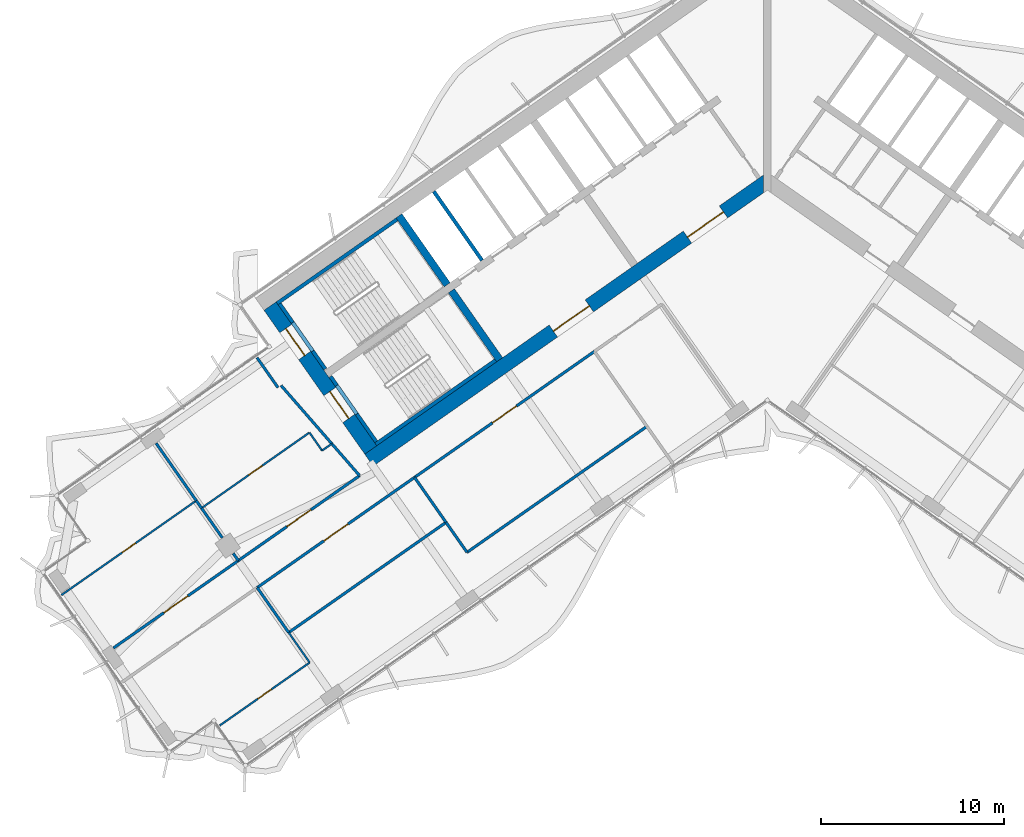
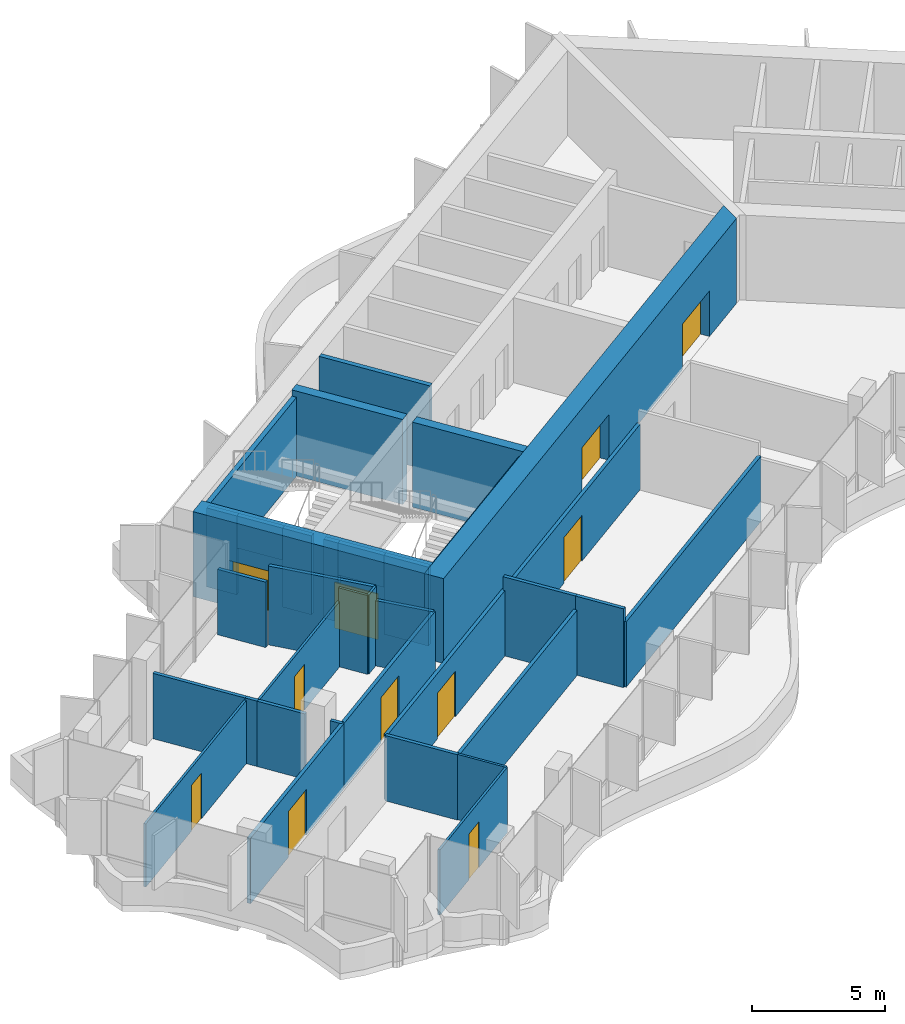
# One storey, part 12 of 22: 35 walls, 11 doors, 11 openings.
"""IFC4 building model written with IfcOpenShell, lengths in metres."""

import ifcopenshell
import ifcopenshell.guid

model = None  # the IFC model being written
_history = None  # IfcOwnerHistory: only IFC2X3 demands one
_inside = {}  # id of a spatial element -> (the spatial element, [elements in it])
_under = {}  # id of a project, library or spatial element -> (it, [spatial elements below it])
_declared = {}  # id of a project -> (the project, [libraries it declares])
_typed = {}  # id of a type object -> (the type object, [elements of that type])
_made_of = {}  # id of a material, layer set ... -> (it, [elements and type objects made of it])


def new_model(schema):
    """Start an empty IFC model of exactly this schema.

    Asked for "IFC4X3", IfcOpenShell would pick the latest addendum, in which some entities
    have other attributes; the version numbers below select the first issue.
    IFC2X3 requires an IfcOwnerHistory on every rooted entity: one is made here for all.
    """
    global model, _history
    if schema == "IFC4X3":
        model = ifcopenshell.file(schema_version=(4, 3, 0, 0))
    else:
        model = ifcopenshell.file(schema=schema)
    _inside.clear()
    _under.clear()
    _declared.clear()
    _typed.clear()
    _made_of.clear()
    _history = None
    if model.schema == "IFC2X3":
        org = make("IfcOrganization", Name="unknown")
        user = make(
            "IfcPersonAndOrganization",
            ThePerson=make("IfcPerson", FamilyName="unknown"),
            TheOrganization=org,
        )
        app = make(
            "IfcApplication",
            ApplicationDeveloper=org,
            Version="unknown",
            ApplicationFullName="unknown",
            ApplicationIdentifier="unknown",
        )
        _history = make(
            "IfcOwnerHistory",
            OwningUser=user,
            OwningApplication=app,
            ChangeAction="ADDED",
            CreationDate=0,
        )
    return model


def make(cls, **values):
    """One entity of the class cls with the attributes given. An attribute that is None is left unset."""
    return model.create_entity(
        cls, **{name: value for name, value in values.items() if value is not None}
    )


def rooted(cls, **values):
    """An entity with a GlobalId (a new one), such as an element, a storey or a relation."""
    return make(cls, GlobalId=ifcopenshell.guid.new(), OwnerHistory=_history, **values)


def si_unit(unit_type, name, prefix=None):
    """IfcSIUnit, for example si_unit("LENGTHUNIT", "METRE", prefix="MILLI")."""
    return make("IfcSIUnit", UnitType=unit_type, Prefix=prefix, Name=name)


def assignment(units):
    """IfcUnitAssignment: the units of a project."""
    return None if units is None else make("IfcUnitAssignment", Units=units)


def point(xyz):
    """IfcCartesianPoint."""
    return None if xyz is None else make("IfcCartesianPoint", Coordinates=xyz)


def direction(xyz):
    """IfcDirection."""
    return None if xyz is None else make("IfcDirection", DirectionRatios=xyz)


def frame(location, z_axis=None, x_axis=None):
    """IfcAxis2Placement3D, a coordinate frame: its origin and axes. An axis left out is left unset."""
    return make(
        "IfcAxis2Placement3D",
        Location=point(location),
        Axis=direction(z_axis),
        RefDirection=direction(x_axis),
    )


def frame_2d(location, x_axis=None):
    """IfcAxis2Placement2D, a coordinate frame in the plane: its origin and x axis."""
    return make(
        "IfcAxis2Placement2D", Location=point(location), RefDirection=direction(x_axis)
    )


def origin():
    """The frame at (0, 0, 0) with its axes left unset."""
    return frame((0.0, 0.0, 0.0))


def place(relative_to, where):
    """IfcLocalPlacement: puts the frame where relative to a parent placement (None: the world)."""
    return make(
        "IfcLocalPlacement", PlacementRelTo=relative_to, RelativePlacement=where
    )


def context(
    kind, dimensions, precision=None, world=None, true_north=None, identifier=None
):
    """IfcGeometricRepresentationContext, for example the 3D "Model" context."""
    return make(
        "IfcGeometricRepresentationContext",
        ContextIdentifier=identifier,
        ContextType=kind,
        CoordinateSpaceDimension=dimensions,
        Precision=precision,
        WorldCoordinateSystem=world,
        TrueNorth=true_north,
    )


def subcontext(parent, identifier, kind, view, scale=None):
    """IfcGeometricRepresentationSubContext, for example "Body" below "Model"."""
    return make(
        "IfcGeometricRepresentationSubContext",
        ContextIdentifier=identifier,
        ContextType=kind,
        ParentContext=parent,
        TargetScale=scale,
        TargetView=view,
    )


def project(units=None, contexts=None):
    """IfcProject with its units and contexts."""
    return rooted(
        "IfcProject",
        Name="project",
        RepresentationContexts=contexts,
        UnitsInContext=assignment(units),
    )


def spatial(cls, under=None, at=None, **own):
    """A site, building, storey or space (cls), placed at a placement, below another one or the project."""
    s = rooted(cls, ObjectPlacement=at, **own)
    if under is not None:
        _under.setdefault(under.id(), (under, []))[1].append(s)
    return s


def polyline(points):
    """IfcPolyline through the points."""
    return make("IfcPolyline", Points=[point(p) for p in points])


def profile(cls, at=None, kind="AREA", **sizes):
    """A parametric profile (cls). Its sizes go by their IFC names, for example OverallWidth=200.0."""
    return make(cls, ProfileType=kind, Position=at, **sizes)


def rectangle(**sizes):
    """IfcRectangleProfileDef."""
    return profile("IfcRectangleProfileDef", **sizes)


def outline(outer, holes=None, kind="AREA"):
    """IfcArbitraryClosedProfileDef: a profile drawn as a closed curve; with holes, ...WithVoids."""
    if holes is None:
        return make("IfcArbitraryClosedProfileDef", ProfileType=kind, OuterCurve=outer)
    return make(
        "IfcArbitraryProfileDefWithVoids",
        ProfileType=kind,
        OuterCurve=outer,
        InnerCurves=holes,
    )


def extrude(swept, where, along, depth):
    """IfcExtrudedAreaSolid: the profile swept, set in the frame where, extruded along a direction by depth."""
    return make(
        "IfcExtrudedAreaSolid",
        SweptArea=swept,
        Position=where,
        ExtrudedDirection=direction(along),
        Depth=depth,
    )


def shape(context_of_items, identifier, shape_type, items):
    """IfcShapeRepresentation: the items that make up one representation, for example the "Body"."""
    return make(
        "IfcShapeRepresentation",
        ContextOfItems=context_of_items,
        RepresentationIdentifier=identifier,
        RepresentationType=shape_type,
        Items=items,
    )


def material(Name=None, Category=None):
    """IfcMaterial."""
    return make("IfcMaterial", Name=Name, Category=Category)


def layer(
    of_material, thickness, ventilated=None, Name=None, Category=None, Priority=None
):
    """IfcMaterialLayer: one layer of a wall or slab, of a material (None: an air gap)."""
    return make(
        "IfcMaterialLayer",
        Material=of_material,
        LayerThickness=thickness,
        IsVentilated=ventilated,
        Name=Name,
        Category=Category,
        Priority=Priority,
    )


def layer_set(layers, Name=None):
    """IfcMaterialLayerSet."""
    return make("IfcMaterialLayerSet", MaterialLayers=layers, LayerSetName=Name)


def made_of(thing, what):
    """Note that an element or type object is made of a material, layer set ...; save() writes the relation."""
    if what is not None:
        _made_of.setdefault(what.id(), (what, []))[1].append(thing)
    return thing


def type_object(cls, material=None, **own):
    """A type object (cls), such as IfcWallType, which elements share."""
    return made_of(rooted(cls, **own), material)


def element(
    cls,
    number,
    at=None,
    inside=None,
    cuts=None,
    type_object=None,
    material=None,
    context=None,
    identifier="Body",
    shape_type=None,
    held_by="IfcProductDefinitionShape",
    body=None,
    shapes=None,
    **own,
):
    """One element of the class cls, such as IfcWall. Its Tag is "e" and its number.

    at: its placement. inside: the storey or other place that contains it. cuts: it is an
    opening in that element (IfcRelVoidsElement). A single representation is given by context,
    identifier, shape_type and body (its items); several are given by shapes. held_by: the class
    of the entity that holds the representations. save() writes the other relations.
    """
    e = rooted(cls, Tag="e%d" % number, ObjectPlacement=at, **own)
    if body is not None:
        shapes = [shape(context, identifier, shape_type, body)]
    if shapes is not None:
        e.Representation = make(held_by, Representations=shapes)
    if inside is not None:
        _inside.setdefault(inside.id(), (inside, []))[1].append(e)
    if cuts is not None:
        rooted(
            "IfcRelVoidsElement", RelatingBuildingElement=cuts, RelatedOpeningElement=e
        )
    if type_object is not None:
        _typed.setdefault(type_object.id(), (type_object, []))[1].append(e)
    return made_of(e, material)


def fill(opening, filler):
    """IfcRelFillsElement: the door or window that sits in an opening."""
    return rooted(
        "IfcRelFillsElement",
        RelatingOpeningElement=opening,
        RelatedBuildingElement=filler,
    )


def aggregate(whole, parts):
    """IfcRelAggregates: a whole, such as a stair, and the parts it consists of."""
    return rooted("IfcRelAggregates", RelatingObject=whole, RelatedObjects=parts)


def save(model, path):
    """Write the relations noted so far, then the file.

    IfcRelAggregates (storeys below a building ...), IfcRelContainedInSpatialStructure (elements
    in a storey), IfcRelDefinesByType, IfcRelAssociatesMaterial and IfcRelDeclares: one each for
    every whole, place, type object, material and project.
    """
    for whole, parts in _under.values():
        aggregate(whole, parts)
    for where, things in _inside.values():
        rooted(
            "IfcRelContainedInSpatialStructure",
            RelatedElements=things,
            RelatingStructure=where,
        )
    for kind, things in _typed.values():
        rooted("IfcRelDefinesByType", RelatedObjects=things, RelatingType=kind)
    for what, things in _made_of.values():
        rooted("IfcRelAssociatesMaterial", RelatedObjects=things, RelatingMaterial=what)
    for by, libraries in _declared.values():
        rooted("IfcRelDeclares", RelatingContext=by, RelatedDefinitions=libraries)
    model.write(path)


model = new_model("IFC4")

# Units and contexts
model_context = context("Model", 3, precision=1e-05, world=origin(), true_north=direction((0.0, 1.0)))
body_context = subcontext(model_context, "Body", "Model", "MODEL_VIEW")
ifc_project = project(units=[si_unit("LENGTHUNIT", "METRE"), si_unit("AREAUNIT", "SQUARE_METRE"), si_unit("VOLUMEUNIT", "CUBIC_METRE"), si_unit("PLANEANGLEUNIT", "RADIAN"), si_unit("MASSUNIT", "GRAM", prefix="KILO")], contexts=[model_context])

# Site, building, storey
site_placement = place(None, origin())
site = spatial("IfcSite", under=ifc_project, at=site_placement, CompositionType="ELEMENT")
building_placement = place(site_placement, origin())
building = spatial("IfcBuilding", under=site, at=building_placement, Name="Tel Ilan Convention Tower", CompositionType="ELEMENT")
storey_placement = place(building_placement, frame((0.0, 0.0, 143.699951171875)))
storey = spatial("IfcBuildingStorey", under=building, at=storey_placement, Name="L32", CompositionType="ELEMENT", Elevation=143.699951171875)

# Walls
ifc_material_1 = material(Name="Concrete C50/60", Category="concrete")
ifc_layer_1 = layer(ifc_material_1, 0.39990234375)
ifc_layer_set_1 = layer_set([ifc_layer_1], Name="Core Shear Wall 400 mm C50/60")
wall_type_1 = type_object("IfcWallType", Name="Core Shear Wall 400 mm C50/60", PredefinedType="SHEAR", material=ifc_layer_set_1)
wall_1_placement = place(storey_placement, frame((-14.6298828125, -10.48828125, 0.0), z_axis=(0.0, 0.0, 1.0), x_axis=(-0.573611936273, 0.819127185829, 0.0)))
element("IfcWall", 1, at=wall_1_placement, inside=storey, type_object=wall_type_1, Name="L32 core wall W-cross2-1", PredefinedType="SHEAR", context=body_context, shape_type="SweptSolid", body=[
    extrude(outline(polyline([(4.60009765625, 0.199951171875), (0.000244140625, 0.2001953125), (0.000244140625, -0.199951171875), (4.60009765625, -0.2001953125), (4.60009765625, 0.199951171875)])), origin(), (0.0, 0.0, 1.0), 3.900146484375),
])
wall_2_placement = place(storey_placement, frame((-17.497802734375, -6.392333984375, 0.0), z_axis=(0.0, 0.0, 1.0), x_axis=(-0.573611936273, 0.819127185829, 0.0)))
element("IfcWall", 2, at=wall_2_placement, inside=storey, type_object=wall_type_1, Name="L32 core wall W-cross2-2", PredefinedType="SHEAR", context=body_context, shape_type="SweptSolid", body=[
    extrude(outline(polyline([(4.599853515625, -0.2001953125), (4.599853515625, 0.199951171875), (0.0, 0.2001953125), (0.0, -0.199951171875), (4.599853515625, -0.2001953125)])), origin(), (0.0, 0.0, 1.0), 3.900146484375),
])

# Wall, openings, doors
ifc_material_2 = material(Name="Concrete C50/60", Category="concrete")
ifc_layer_2 = layer(ifc_material_2, 0.800048828125)
ifc_layer_set_2 = layer_set([ifc_layer_2], Name="Core Shear Wall 800 mm C50/60")
wall_type_2 = type_object("IfcWallType", Name="Core Shear Wall 800 mm C50/60", PredefinedType="SHEAR", material=ifc_layer_set_2)
wall_3_placement = place(storey_placement, frame((0.029296875, -0.7119140625, 0.0), z_axis=(0.0, 0.0, 1.0), x_axis=(-0.819151758019, -0.573576845187, 0.0)))
wall_3 = element("IfcWall", 3, at=wall_3_placement, inside=storey, type_object=wall_type_2, Name="L32 core wall W-front", PredefinedType="SHEAR", context=body_context, shape_type="SweptSolid", body=[
    extrude(outline(polyline([(26.61572265625, 0.39990234375), (0.56005859375, 0.39990234375), (-0.000244140625, -0.39990234375), (26.61572265625, -0.39990234375), (26.61572265625, 0.39990234375)])), origin(), (0.0, 0.0, 1.0), 3.900146484375),
])
opening_1_placement = place(wall_3_placement, frame((2.9658203125, 0.0, 0.0)))
opening_1 = element("IfcOpeningElement", 4, at=opening_1_placement, cuts=wall_3, Name="Opening CD2605", PredefinedType="OPENING", context=body_context, shape_type="SweptSolid", body=[
    extrude(rectangle(XDim=2.39990234375, YDim=2.10009765625, at=frame_2d((1.199951171875, 1.050048828125))), frame((0.0, 0.409912109375, 0.0), z_axis=(0.0, -1.0, 0.0), x_axis=(1.0, 0.0, 0.0)), (0.0, 0.0, 1.0), 0.820068359375),
])
opening_2_placement = place(wall_3_placement, frame((11.915771484375, 0.0, 0.0)))
opening_2 = element("IfcOpeningElement", 5, at=opening_2_placement, cuts=wall_3, Name="Opening CD2606", PredefinedType="OPENING", context=body_context, shape_type="SweptSolid", body=[
    extrude(rectangle(XDim=2.39990234375, YDim=2.10009765625, at=frame_2d((1.199951171875, 1.050048828125))), frame((0.0, 0.409912109375, 0.0), z_axis=(0.0, -1.0, 0.0), x_axis=(1.0, 0.0, 0.0)), (0.0, 0.0, 1.0), 0.820068359375),
])
ifc_material_3 = material(Name="Glazed Aluminium Door Leaf", Category="aluminium")
door_type_1 = type_object("IfcDoorType", Name="Lobby Opening Door 2400 x 2100 FD60S", OperationType="NOTDEFINED", PredefinedType="DOOR", material=ifc_material_3)
door_1_placement = place(opening_1_placement, origin())
door_1 = element("IfcDoor", 6, at=door_1_placement, inside=storey, type_object=door_type_1, Name="Lift Lobby LR1-LR4 opening", OperationType="DOUBLE_DOOR_SINGLE_SWING", OverallHeight=2.10009765625, OverallWidth=2.39990234375, PredefinedType="DOOR", context=body_context, shape_type="SweptSolid", body=[
    extrude(rectangle(XDim=2.39990234375, YDim=2.10009765625, at=frame_2d((1.199951171875, 1.050048828125))), frame((0.0, 0.02490234375, 0.0), z_axis=(0.0, -1.0, 0.0), x_axis=(1.0, 0.0, 0.0)), (0.0, 0.0, 1.0), 0.050048828125),
])
fill(opening_1, door_1)
door_2_placement = place(opening_2_placement, origin())
door_2 = element("IfcDoor", 7, at=door_2_placement, inside=storey, type_object=door_type_1, Name="Lift Lobby LR5-LR8 opening", OperationType="DOUBLE_DOOR_SINGLE_SWING", OverallHeight=2.10009765625, OverallWidth=2.39990234375, PredefinedType="DOOR", context=body_context, shape_type="SweptSolid", body=[
    extrude(rectangle(XDim=2.39990234375, YDim=2.10009765625, at=frame_2d((1.199951171875, 1.050048828125))), frame((0.0, 0.02490234375, 0.0), z_axis=(0.0, -1.0, 0.0), x_axis=(1.0, 0.0, 0.0)), (0.0, 0.0, 1.0), 0.050048828125),
])
fill(opening_2, door_2)

wall_4_placement = place(storey_placement, frame((-21.6748046875, -15.4208984375, 0.0), z_axis=(0.0, 0.0, 1.0), x_axis=(-0.573581815061, 0.819148278049, 0.0)))
wall_4 = element("IfcWall", 8, at=wall_4_placement, inside=storey, type_object=wall_type_2, Name="L32 core wall W-end", PredefinedType="SHEAR", context=body_context, shape_type="SweptSolid", body=[
    extrude(outline(polyline([(0.0, 0.39990234375), (0.0, -0.39990234375), (9.599853515625, -0.400146484375), (9.599853515625, 0.39990234375), (0.0, 0.39990234375)])), origin(), (0.0, 0.0, 1.0), 3.900146484375),
])
opening_3_placement = place(wall_4_placement, frame((6.300048828125, 0.0, 0.0)))
opening_3 = element("IfcOpeningElement", 9, at=opening_3_placement, cuts=wall_4, Name="Opening SD2601", PredefinedType="OPENING", context=body_context, shape_type="SweptSolid", body=[
    extrude(rectangle(XDim=1.800048828125, YDim=2.10009765625, at=frame_2d((0.89990234375, 1.050048828125))), frame((0.0, 0.409912109375, 0.0), z_axis=(0.0, -1.0, 0.0), x_axis=(1.0, 0.0, 0.0)), (0.0, 0.0, 1.0), 0.820068359375),
])
opening_4_placement = place(wall_4_placement, frame((2.10009765625, 0.0, 0.0)))
opening_4 = element("IfcOpeningElement", 10, at=opening_4_placement, cuts=wall_4, Name="Opening SD2602", PredefinedType="OPENING", context=body_context, shape_type="SweptSolid", body=[
    extrude(rectangle(XDim=1.800048828125, YDim=2.10009765625, at=frame_2d((0.89990234375, 1.050048828125))), frame((0.0, 0.409912109375, 0.0), z_axis=(0.0, -1.0, 0.0), x_axis=(1.0, 0.0, 0.0)), (0.0, 0.0, 1.0), 0.820068359375),
])
ifc_material_4 = material(Name="Galvanised Steel Door Leaf", Category="steel")
door_type_2 = type_object("IfcDoorType", Name="Stair Fire Door 1800 x 2100 FD60S", OperationType="NOTDEFINED", PredefinedType="DOOR", material=ifc_material_4)
door_3_placement = place(opening_3_placement, origin())
door_3 = element("IfcDoor", 11, at=door_3_placement, inside=storey, type_object=door_type_2, Name="Stair S1 door", OperationType="DOUBLE_DOOR_SINGLE_SWING", OverallHeight=2.10009765625, OverallWidth=1.800048828125, PredefinedType="DOOR", context=body_context, shape_type="SweptSolid", body=[
    extrude(rectangle(XDim=1.800048828125, YDim=2.10009765625, at=frame_2d((0.89990234375, 1.050048828125))), frame((0.0, 0.02490234375, 0.0), z_axis=(0.0, -1.0, 0.0), x_axis=(1.0, 0.0, 0.0)), (0.0, 0.0, 1.0), 0.050048828125),
])
fill(opening_3, door_3)
door_4_placement = place(opening_4_placement, origin())
door_4 = element("IfcDoor", 12, at=door_4_placement, inside=storey, type_object=door_type_2, Name="Stair S2 door", OperationType="DOUBLE_DOOR_SINGLE_SWING", OverallHeight=2.10009765625, OverallWidth=1.800048828125, PredefinedType="DOOR", context=body_context, shape_type="SweptSolid", body=[
    extrude(rectangle(XDim=1.800048828125, YDim=2.10009765625, at=frame_2d((0.89990234375, 1.050048828125))), frame((0.0, 0.02490234375, 0.0), z_axis=(0.0, -1.0, 0.0), x_axis=(1.0, 0.0, 0.0)), (0.0, 0.0, 1.0), 0.050048828125),
])
fill(opening_4, door_4)

# Wall, opening, door
ifc_material_5 = material(Name="Plasterboard on Steel Studs", Category="steel")
ifc_layer_3 = layer(ifc_material_5, 0.14990234375)
ifc_layer_set_3 = layer_set([ifc_layer_3], Name="Fire-rated Partition 150 EI 60")
wall_type_3 = type_object("IfcWallType", Name="Fire-rated Partition 150 EI 60", PredefinedType="PARTITIONING", material=ifc_layer_set_3)
wall_5_placement = place(storey_placement, frame((-28.9169921875, -21.469482421875, 0.0), z_axis=(0.0, 0.0, 1.0), x_axis=(0.819148353684, 0.573581707045, 0.0)))
wall_5 = element("IfcWall", 13, at=wall_5_placement, inside=storey, type_object=wall_type_3, Name="Partition 005", PredefinedType="PARTITIONING", context=body_context, shape_type="SweptSolid", body=[
    extrude(rectangle(XDim=8.0986328125, YDim=0.14990234375, at=frame_2d((4.04931640625, 0.0))), origin(), (0.0, 0.0, 1.0), 3.0),
])
opening_5_placement = place(wall_5_placement, frame((3.24951171875, 0.0, 0.0)))
opening_5 = element("IfcOpeningElement", 14, at=opening_5_placement, cuts=wall_5, Name="Opening L32-006", PredefinedType="OPENING", context=body_context, shape_type="SweptSolid", body=[
    extrude(rectangle(XDim=1.60009765625, YDim=2.10009765625, at=frame_2d((0.800048828125, 1.050048828125))), frame((0.0, 0.0849609375, 0.0), z_axis=(0.0, -1.0, 0.0), x_axis=(1.0, 0.0, 0.0)), (0.0, 0.0, 1.0), 0.169921875),
])
ifc_material_6 = material(Name="Timber Door Leaf in Steel Frame", Category="steel")
door_type_3 = type_object("IfcDoorType", Name="Tenant Suite Entrance Fire Door 1600x2100", OperationType="NOTDEFINED", PredefinedType="DOOR", material=ifc_material_6)
door_5_placement = place(opening_5_placement, origin())
door_5 = element("IfcDoor", 15, at=door_5_placement, inside=storey, type_object=door_type_3, Name="Door L32-006", OperationType="DOUBLE_DOOR_SINGLE_SWING", OverallHeight=2.10009765625, OverallWidth=1.60009765625, PredefinedType="DOOR", context=body_context, shape_type="SweptSolid", body=[
    extrude(rectangle(XDim=1.60009765625, YDim=2.10009765625, at=frame_2d((0.800048828125, 1.050048828125))), frame((0.0, 0.02490234375, 0.0), z_axis=(0.0, -1.0, 0.0), x_axis=(1.0, 0.0, 0.0)), (0.0, 0.0, 1.0), 0.050048828125),
])
fill(opening_5, door_5)

wall_6_placement = place(storey_placement, frame((-35.739013671875, -26.24658203125, 0.0), z_axis=(0.0, 0.0, 1.0), x_axis=(0.819128663043, 0.573609826783, 0.0)))
wall_6 = element("IfcWall", 16, at=wall_6_placement, inside=storey, type_object=wall_type_3, Name="Partition 006", PredefinedType="PARTITIONING", context=body_context, shape_type="SweptSolid", body=[
    extrude(rectangle(XDim=8.33203125, YDim=0.14990234375, at=frame_2d((4.166015625, 0.0))), origin(), (0.0, 0.0, 1.0), 3.0),
])
opening_6_placement = place(wall_6_placement, frame((3.365966796875, 0.0, 0.0)))
opening_6 = element("IfcOpeningElement", 17, at=opening_6_placement, cuts=wall_6, Name="Opening L32-008", PredefinedType="OPENING", context=body_context, shape_type="SweptSolid", body=[
    extrude(rectangle(XDim=1.60009765625, YDim=2.10009765625, at=frame_2d((0.800048828125, 1.050048828125))), frame((0.0, 0.0849609375, 0.0), z_axis=(0.0, -1.0, 0.0), x_axis=(1.0, 0.0, 0.0)), (0.0, 0.0, 1.0), 0.169921875),
])
door_6_placement = place(opening_6_placement, origin())
door_6 = element("IfcDoor", 18, at=door_6_placement, inside=storey, type_object=door_type_3, Name="Door L32-008", OperationType="DOUBLE_DOOR_SINGLE_SWING", OverallHeight=2.10009765625, OverallWidth=1.60009765625, PredefinedType="DOOR", context=body_context, shape_type="SweptSolid", body=[
    extrude(rectangle(XDim=1.60009765625, YDim=2.10009765625, at=frame_2d((0.800048828125, 1.050048828125))), frame((0.0, 0.02490234375, 0.0), z_axis=(0.0, -1.0, 0.0), x_axis=(1.0, 0.0, 0.0)), (0.0, 0.0, 1.0), 0.050048828125),
])
fill(opening_6, door_6)

wall_7_placement = place(storey_placement, frame((-9.450927734375, -10.035888671875, 0.0), z_axis=(0.0, 0.0, 1.0), x_axis=(-0.81915738424, -0.573568810035, 0.0)))
wall_7 = element("IfcWall", 19, at=wall_7_placement, inside=storey, type_object=wall_type_3, Name="Partition 008", PredefinedType="PARTITIONING", context=body_context, shape_type="SweptSolid", body=[
    extrude(rectangle(XDim=12.00390625, YDim=0.14990234375, at=frame_2d((6.001953125, 0.0))), origin(), (0.0, 0.0, 1.0), 3.0),
])
opening_7_placement = place(wall_7_placement, frame((5.201904296875, 0.0, 0.0)))
opening_7 = element("IfcOpeningElement", 20, at=opening_7_placement, cuts=wall_7, Name="Opening L32-002", PredefinedType="OPENING", context=body_context, shape_type="SweptSolid", body=[
    extrude(rectangle(XDim=1.60009765625, YDim=2.10009765625, at=frame_2d((0.800048828125, 1.050048828125))), frame((0.0, 0.0849609375, 0.0), z_axis=(0.0, -1.0, 0.0), x_axis=(1.0, 0.0, 0.0)), (0.0, 0.0, 1.0), 0.169921875),
])
door_7_placement = place(opening_7_placement, origin())
door_7 = element("IfcDoor", 21, at=door_7_placement, inside=storey, type_object=door_type_3, Name="Door L32-002", OperationType="DOUBLE_DOOR_SINGLE_SWING", OverallHeight=2.10009765625, OverallWidth=1.60009765625, PredefinedType="DOOR", context=body_context, shape_type="SweptSolid", body=[
    extrude(rectangle(XDim=1.60009765625, YDim=2.10009765625, at=frame_2d((0.800048828125, 1.050048828125))), frame((0.0, 0.02490234375, 0.0), z_axis=(0.0, -1.0, 0.0), x_axis=(1.0, 0.0, 0.0)), (0.0, 0.0, 1.0), 0.050048828125),
])
fill(opening_7, door_7)

wall_8_placement = place(storey_placement, frame((-19.28076171875, -16.918701171875, 0.0), z_axis=(0.0, 0.0, 1.0), x_axis=(-0.819145647741, -0.57358557146, 0.0)))
wall_8 = element("IfcWall", 22, at=wall_8_placement, inside=storey, type_object=wall_type_3, Name="Partition 009", PredefinedType="PARTITIONING", context=body_context, shape_type="SweptSolid", body=[
    extrude(rectangle(XDim=10.50390625, YDim=0.14990234375, at=frame_2d((5.251953125, 0.0))), origin(), (0.0, 0.0, 1.0), 3.0),
])
opening_8_placement = place(wall_8_placement, frame((4.451904296875, 0.0, 0.0)))
opening_8 = element("IfcOpeningElement", 23, at=opening_8_placement, cuts=wall_8, Name="Opening L32-003", PredefinedType="OPENING", context=body_context, shape_type="SweptSolid", body=[
    extrude(rectangle(XDim=1.60009765625, YDim=2.10009765625, at=frame_2d((0.800048828125, 1.050048828125))), frame((0.0, 0.0849609375, 0.0), z_axis=(0.0, -1.0, 0.0), x_axis=(1.0, 0.0, 0.0)), (0.0, 0.0, 1.0), 0.169921875),
])
door_8_placement = place(opening_8_placement, origin())
door_8 = element("IfcDoor", 24, at=door_8_placement, inside=storey, type_object=door_type_3, Name="Door L32-003", OperationType="DOUBLE_DOOR_SINGLE_SWING", OverallHeight=2.10009765625, OverallWidth=1.60009765625, PredefinedType="DOOR", context=body_context, shape_type="SweptSolid", body=[
    extrude(rectangle(XDim=1.60009765625, YDim=2.10009765625, at=frame_2d((0.800048828125, 1.050048828125))), frame((0.0, 0.02490234375, 0.0), z_axis=(0.0, -1.0, 0.0), x_axis=(1.0, 0.0, 0.0)), (0.0, 0.0, 1.0), 0.050048828125),
])
fill(opening_8, door_8)

# Walls
wall_9_placement = place(storey_placement, frame((-26.74609375, -12.013671875, 0.0), z_axis=(0.0, 0.0, 1.0), x_axis=(-0.573568836472, 0.819157365729, 0.0)))
element("IfcWall", 25, at=wall_9_placement, inside=storey, type_object=wall_type_3, Name="Partition 026", PredefinedType="PARTITIONING", context=body_context, shape_type="SweptSolid", body=[
    extrude(rectangle(XDim=2.000244140625, YDim=0.14990234375, at=frame_2d((1.0, 0.0))), origin(), (0.0, 0.0, 1.0), 3.0),
])
wall_10_placement = place(storey_placement, frame((-23.802490234375, -15.082275390625, 0.0), z_axis=(0.0, 0.0, 1.0), x_axis=(-0.656784983898, 0.754077903751, 0.0)))
element("IfcWall", 26, at=wall_10_placement, inside=storey, type_object=wall_type_3, Name="Partition 027", PredefinedType="PARTITIONING", context=body_context, shape_type="SweptSolid", body=[
    extrude(rectangle(XDim=4.225830078125, YDim=0.14990234375, at=frame_2d((2.11279296875, 0.0))), origin(), (0.0, 0.0, 1.0), 3.6201171875),
])
wall_11_placement = place(storey_placement, frame((-22.28369140625, -16.826416015625, 0.0), z_axis=(0.0, 0.0, 1.0), x_axis=(-0.656749820099, 0.754108529192, 0.0)))
element("IfcWall", 27, at=wall_11_placement, inside=storey, type_object=wall_type_3, Name="Partition 028", PredefinedType="PARTITIONING", context=body_context, shape_type="SweptSolid", body=[
    extrude(rectangle(XDim=2.317138671875, YDim=0.14990234375, at=frame_2d((1.15869140625, 0.0))), origin(), (0.0, 0.0, 1.0), 3.0),
])
wall_12_placement = place(storey_placement, frame((-31.209716796875, -18.192138671875, 0.0), z_axis=(0.0, 0.0, 1.0), x_axis=(-0.573556436342, 0.819166048082, 0.0)))
element("IfcWall", 28, at=wall_12_placement, inside=storey, type_object=wall_type_3, Name="Partition 032", PredefinedType="PARTITIONING", context=body_context, shape_type="SweptSolid", body=[
    extrude(rectangle(XDim=3.8310546875, YDim=0.14990234375, at=frame_2d((1.91552734375, 0.0))), origin(), (0.0, 0.0, 1.0), 3.0),
])
wall_13_placement = place(storey_placement, frame((-30.924072265625, -18.60009765625, 0.0), z_axis=(0.0, 0.0, 1.0), x_axis=(-0.573560455774, 0.819163233777, 0.0)))
element("IfcWall", 29, at=wall_13_placement, inside=storey, type_object=wall_type_3, Name="Partition 033", PredefinedType="PARTITIONING", context=body_context, shape_type="SweptSolid", body=[
    extrude(rectangle(XDim=0.5009765625, YDim=0.14990234375, at=frame_2d((0.25048828125, 0.0))), origin(), (0.0, 0.0, 1.0), 3.0),
])
wall_14_placement = place(storey_placement, frame((-28.916015625, -21.468017578125, 0.0), z_axis=(0.0, 0.0, 1.0), x_axis=(-0.57322336738, 0.819399152483, 0.0)))
element("IfcWall", 30, at=wall_14_placement, inside=storey, type_object=wall_type_3, Name="Partition 034", PredefinedType="PARTITIONING", context=body_context, shape_type="SweptSolid", body=[
    extrude(rectangle(XDim=0.47998046875, YDim=0.14990234375, at=frame_2d((0.239990234375, 0.0))), origin(), (0.0, 0.0, 1.0), 3.0),
])
wall_15_placement = place(storey_placement, frame((-29.78759765625, -20.222900390625, 0.0), z_axis=(0.0, 0.0, 1.0), x_axis=(-0.573561636977, 0.819162406723, 0.0)))
element("IfcWall", 31, at=wall_15_placement, inside=storey, type_object=wall_type_3, Name="Partition 035", PredefinedType="PARTITIONING", context=body_context, shape_type="SweptSolid", body=[
    extrude(rectangle(XDim=1.980224609375, YDim=0.14990234375, at=frame_2d((0.990234375, 0.0))), origin(), (0.0, 0.0, 1.0), 3.0),
])
wall_16_placement = place(storey_placement, frame((-17.560546875, -19.37890625, 0.0), z_axis=(0.0, 0.0, 1.0), x_axis=(-0.573604249862, 0.819132568355, 0.0)))
element("IfcWall", 32, at=wall_16_placement, inside=storey, type_object=wall_type_3, Name="Partition 039", PredefinedType="PARTITIONING", context=body_context, shape_type="SweptSolid", body=[
    extrude(rectangle(XDim=3.001953125, YDim=0.14990234375, at=frame_2d((1.5009765625, 0.0))), origin(), (0.0, 0.0, 1.0), 3.6201171875),
])
wall_17_placement = place(storey_placement, frame((-6.584716796875, -14.1328125, 0.0), z_axis=(0.0, 0.0, 1.0), x_axis=(-0.819156404271, -0.573570209602, 0.0)))
element("IfcWall", 33, at=wall_17_placement, inside=storey, type_object=wall_type_3, Name="Partition 040", PredefinedType="PARTITIONING", context=body_context, shape_type="SweptSolid", body=[
    extrude(rectangle(XDim=12.0, YDim=0.14990234375, at=frame_2d((6.0, 0.0))), origin(), (0.0, 0.0, 1.0), 3.0),
])
wall_18_placement = place(storey_placement, frame((-16.41455078125, -21.015625, 0.0), z_axis=(0.0, 0.0, 1.0), x_axis=(-0.573560601885, 0.819163131473, 0.0)))
element("IfcWall", 34, at=wall_18_placement, inside=storey, type_object=wall_type_3, Name="Partition 041", PredefinedType="PARTITIONING", context=body_context, shape_type="SweptSolid", body=[
    extrude(rectangle(XDim=2.0009765625, YDim=0.14990234375, at=frame_2d((1.00048828125, 0.0))), origin(), (0.0, 0.0, 1.0), 3.6201171875),
])
wall_19_placement = place(storey_placement, frame((-17.5615234375, -19.377197265625, 0.0), z_axis=(0.0, 0.0, 1.0), x_axis=(-0.81914452344, -0.573587177086, 0.0)))
element("IfcWall", 35, at=wall_19_placement, inside=storey, type_object=wall_type_3, Name="Partition 042", PredefinedType="PARTITIONING", context=body_context, shape_type="SweptSolid", body=[
    extrude(rectangle(XDim=10.5, YDim=0.14990234375, at=frame_2d((5.25, 0.0))), origin(), (0.0, 0.0, 1.0), 3.0),
])
wall_20_placement = place(storey_placement, frame((-26.16259765625, -25.39990234375, 0.0), z_axis=(0.0, 0.0, 1.0), x_axis=(-0.573615254604, 0.819124862085, 0.0)))
element("IfcWall", 36, at=wall_20_placement, inside=storey, type_object=wall_type_3, Name="Partition 043", PredefinedType="PARTITIONING", context=body_context, shape_type="SweptSolid", body=[
    extrude(rectangle(XDim=3.000244140625, YDim=0.14990234375, at=frame_2d((1.5, 0.0))), origin(), (0.0, 0.0, 1.0), 3.0),
])
ifc_material_7 = material(Name="Concrete C30/37", Category="concrete")
ifc_layer_4 = layer(ifc_material_7, 0.199951171875)
ifc_layer_set_4 = layer_set([ifc_layer_4], Name="Lift Shaft Wall 200 mm C30/37")
wall_type_4 = type_object("IfcWallType", Name="Lift Shaft Wall 200 mm C30/37", PredefinedType="SOLIDWALL", material=ifc_layer_set_4)
wall_21_placement = place(storey_placement, frame((-15.593505859375, -5.058837890625, 0.0), z_axis=(0.0, 0.0, 1.0), x_axis=(-0.573540709186, 0.819177059558, 0.0)))
element("IfcWall", 37, at=wall_21_placement, inside=storey, type_object=wall_type_4, Name="L32 core wall bank-W2-p2", PredefinedType="SOLIDWALL", context=body_context, shape_type="SweptSolid", body=[
    extrude(rectangle(XDim=4.599853515625, YDim=0.199951171875, at=frame_2d((2.2998046875, 0.0))), origin(), (0.0, 0.0, 1.0), 3.900146484375),
])
ifc_material_8 = material(Name="Plasterboard on Steel Studs", Category="steel")
ifc_layer_5 = layer(ifc_material_8, 0.10009765625)
ifc_layer_set_5 = layer_set([ifc_layer_5], Name="Plasterboard Partition 100")
wall_type_5 = type_object("IfcWallType", Name="Plasterboard Partition 100", PredefinedType="PARTITIONING", material=ifc_layer_set_5)
wall_22_placement = place(storey_placement, frame((-24.337158203125, -15.4541015625, 0.0), z_axis=(0.0, 0.0, 1.0), x_axis=(0.819196675611, 0.573512690938, 0.0)))
element("IfcWall", 38, at=wall_22_placement, inside=storey, type_object=wall_type_5, Name="Partition 029", PredefinedType="PARTITIONING", context=body_context, shape_type="SweptSolid", body=[
    extrude(rectangle(XDim=0.65087890625, YDim=0.10009765625, at=frame_2d((0.325439453125, 0.0))), origin(), (0.0, 0.0, 1.0), 3.6201171875),
])
wall_23_placement = place(storey_placement, frame((-25.026123046875, -14.47021484375, 0.0), z_axis=(0.0, 0.0, 1.0), x_axis=(0.57359875229, -0.819136418047, 0.0)))
element("IfcWall", 39, at=wall_23_placement, inside=storey, type_object=wall_type_5, Name="Partition 030", PredefinedType="PARTITIONING", context=body_context, shape_type="SweptSolid", body=[
    extrude(rectangle(XDim=1.201171875, YDim=0.10009765625, at=frame_2d((0.6005859375, 0.0))), origin(), (0.0, 0.0, 1.0), 3.6201171875),
])

# Wall, opening, door
wall_24_placement = place(storey_placement, frame((-30.924072265625, -18.60009765625, 0.0), z_axis=(0.0, 0.0, 1.0), x_axis=(0.81914589004, 0.573585225429, 0.0)))
wall_24 = element("IfcWall", 40, at=wall_24_placement, inside=storey, type_object=wall_type_5, Name="Partition 031", PredefinedType="PARTITIONING", context=body_context, shape_type="SweptSolid", body=[
    extrude(rectangle(XDim=7.2001953125, YDim=0.10009765625, at=frame_2d((3.60009765625, 0.0))), origin(), (0.0, 0.0, 1.0), 3.0),
])
opening_9_placement = place(wall_24_placement, frame((3.14990234375, 0.0, 0.0)))
opening_9 = element("IfcOpeningElement", 41, at=opening_9_placement, cuts=wall_24, Name="Opening L32-007", PredefinedType="OPENING", context=body_context, shape_type="SweptSolid", body=[
    extrude(rectangle(XDim=0.89990234375, YDim=2.10009765625, at=frame_2d((0.449951171875, 1.050048828125))), frame((0.0, 0.06005859375, 0.0), z_axis=(0.0, -1.0, 0.0), x_axis=(1.0, 0.0, 0.0)), (0.0, 0.0, 1.0), 0.1201171875),
])
ifc_material_9 = material(Name="Timber Door Leaf in Steel Frame", Category="steel")
door_type_4 = type_object("IfcDoorType", Name="Room Timber Door 900x2100", OperationType="NOTDEFINED", PredefinedType="DOOR", material=ifc_material_9)
door_9_placement = place(opening_9_placement, origin())
door_9 = element("IfcDoor", 42, at=door_9_placement, inside=storey, type_object=door_type_4, Name="Door L32-007", OperationType="SINGLE_SWING_LEFT", OverallHeight=2.10009765625, OverallWidth=0.89990234375, PredefinedType="DOOR", context=body_context, shape_type="SweptSolid", body=[
    extrude(rectangle(XDim=0.89990234375, YDim=2.10009765625, at=frame_2d((0.449951171875, 1.050048828125))), frame((0.0, 0.02490234375, 0.0), z_axis=(0.0, -1.0, 0.0), x_axis=(1.0, 0.0, 0.0)), (0.0, 0.0, 1.0), 0.050048828125),
])
fill(opening_9, door_9)

wall_25_placement = place(storey_placement, frame((-38.5830078125, -23.352783203125, 0.0), z_axis=(0.0, 0.0, 1.0), x_axis=(0.819141427692, 0.573591598124, 0.0)))
wall_25 = element("IfcWall", 43, at=wall_25_placement, inside=storey, type_object=wall_type_5, Name="Partition 036", PredefinedType="PARTITIONING", context=body_context, shape_type="SweptSolid", body=[
    extrude(rectangle(XDim=9.0, YDim=0.10009765625, at=frame_2d((4.5, 0.0))), origin(), (0.0, 0.0, 1.0), 2.900146484375),
])
opening_10_placement = place(wall_25_placement, frame((4.050048828125, 0.0, 0.0)))
opening_10 = element("IfcOpeningElement", 44, at=opening_10_placement, cuts=wall_25, Name="Opening L32-009", PredefinedType="OPENING", context=body_context, shape_type="SweptSolid", body=[
    extrude(rectangle(XDim=0.89990234375, YDim=2.10009765625, at=frame_2d((0.449951171875, 1.050048828125))), frame((0.0, 0.06005859375, 0.0), z_axis=(0.0, -1.0, 0.0), x_axis=(1.0, 0.0, 0.0)), (0.0, 0.0, 1.0), 0.1201171875),
])
door_10_placement = place(opening_10_placement, origin())
door_10 = element("IfcDoor", 45, at=door_10_placement, inside=storey, type_object=door_type_4, Name="Door L32-009", OperationType="SINGLE_SWING_RIGHT", OverallHeight=2.10009765625, OverallWidth=0.89990234375, PredefinedType="DOOR", context=body_context, shape_type="SweptSolid", body=[
    extrude(rectangle(XDim=0.89990234375, YDim=2.10009765625, at=frame_2d((0.449951171875, 1.050048828125))), frame((0.0, 0.02490234375, 0.0), z_axis=(0.0, -1.0, 0.0), x_axis=(1.0, 0.0, 0.0)), (0.0, 0.0, 1.0), 0.050048828125),
])
fill(opening_10, door_10)

wall_26_placement = place(storey_placement, frame((-25.014892578125, -27.0390625, 0.0), z_axis=(0.0, 0.0, 1.0), x_axis=(-0.819163097304, -0.573560650686, 0.0)))
wall_26 = element("IfcWall", 46, at=wall_26_placement, inside=storey, type_object=wall_type_5, Name="Partition 044", PredefinedType="PARTITIONING", context=body_context, shape_type="SweptSolid", body=[
    extrude(rectangle(XDim=6.0, YDim=0.10009765625, at=frame_2d((3.0, 0.0))), origin(), (0.0, 0.0, 1.0), 3.0),
])
opening_11_placement = place(wall_26_placement, frame((2.550048828125, 0.0, 0.0)))
opening_11 = element("IfcOpeningElement", 47, at=opening_11_placement, cuts=wall_26, Name="Opening L32-005", PredefinedType="OPENING", context=body_context, shape_type="SweptSolid", body=[
    extrude(rectangle(XDim=0.89990234375, YDim=2.10009765625, at=frame_2d((0.449951171875, 1.050048828125))), frame((0.0, 0.06005859375, 0.0), z_axis=(0.0, -1.0, 0.0), x_axis=(1.0, 0.0, 0.0)), (0.0, 0.0, 1.0), 0.1201171875),
])
door_11_placement = place(opening_11_placement, origin())
door_11 = element("IfcDoor", 48, at=door_11_placement, inside=storey, type_object=door_type_4, Name="Door L32-005", OperationType="SINGLE_SWING_LEFT", OverallHeight=2.10009765625, OverallWidth=0.89990234375, PredefinedType="DOOR", context=body_context, shape_type="SweptSolid", body=[
    extrude(rectangle(XDim=0.89990234375, YDim=2.10009765625, at=frame_2d((0.449951171875, 1.050048828125))), frame((0.0, 0.02490234375, 0.0), z_axis=(0.0, -1.0, 0.0), x_axis=(1.0, 0.0, 0.0)), (0.0, 0.0, 1.0), 0.050048828125),
])
fill(opening_11, door_11)

# Walls
wall_27_placement = place(storey_placement, frame((-26.162109375, -25.400634765625, 0.0), z_axis=(0.0, 0.0, 1.0), x_axis=(0.573568836472, -0.819157365729, 0.0)))
element("IfcWall", 49, at=wall_27_placement, inside=storey, type_object=wall_type_5, Name="Partition 045", PredefinedType="PARTITIONING", context=body_context, shape_type="SweptSolid", body=[
    extrude(rectangle(XDim=2.000244140625, YDim=0.10009765625, at=frame_2d((1.0, 0.0))), origin(), (0.0, 0.0, 1.0), 3.0),
])
ifc_material_10 = material(Name="Concrete C30/37", Category="concrete")
ifc_layer_6 = layer(ifc_material_10, 0.199951171875)
ifc_layer_set_6 = layer_set([ifc_layer_6], Name="Stair and Shaft Lining Wall 200 mm C30/37")
wall_type_6 = type_object("IfcWallType", Name="Stair and Shaft Lining Wall 200 mm C30/37", PredefinedType="SOLIDWALL", material=ifc_layer_set_6)
wall_28_placement = place(storey_placement, frame((-20.242919921875, -2.821044921875, 0.0), z_axis=(0.0, 0.0, 1.0), x_axis=(-0.819141584393, -0.57359137434, 0.0)))
element("IfcWall", 50, at=wall_28_placement, inside=storey, type_object=wall_type_6, Name="L32 core wall lining-S1-t1", PredefinedType="SOLIDWALL", context=body_context, shape_type="SweptSolid", body=[
    extrude(rectangle(XDim=7.999755859375, YDim=0.199951171875, at=frame_2d((4.0, 0.0))), origin(), (0.0, 0.0, 1.0), 3.6201171875),
])
wall_29_placement = place(storey_placement, frame((-24.16162109375, -10.99755859375, 0.0), z_axis=(0.0, 0.0, 1.0), x_axis=(-0.573612502218, 0.819126789514, 0.0)))
element("IfcWall", 51, at=wall_29_placement, inside=storey, type_object=wall_type_6, Name="L32 core wall lining-S1-u1-0", PredefinedType="SOLIDWALL", context=body_context, shape_type="SweptSolid", body=[
    extrude(rectangle(XDim=1.2001953125, YDim=0.199951171875, at=frame_2d((0.60009765625, 0.0))), origin(), (0.0, 0.0, 1.0), 3.6201171875),
])
wall_30_placement = place(storey_placement, frame((-25.939697265625, -8.4580078125, 0.0), z_axis=(0.0, 0.0, 1.0), x_axis=(-0.573619628835, 0.819121798889, 0.0)))
element("IfcWall", 52, at=wall_30_placement, inside=storey, type_object=wall_type_6, Name="L32 core wall lining-S1-u1-1", PredefinedType="SOLIDWALL", context=body_context, shape_type="SweptSolid", body=[
    extrude(rectangle(XDim=1.25, YDim=0.199951171875, at=frame_2d((0.625, 0.0))), origin(), (0.0, 0.0, 1.0), 3.6201171875),
])
wall_31_placement = place(storey_placement, frame((-24.85009765625, -10.014404296875, 2.150146484375), z_axis=(0.0, 0.0, 1.0), x_axis=(-0.573505465124, 0.819201734296, 0.0)))
element("IfcWall", 53, at=wall_31_placement, inside=storey, type_object=wall_type_6, Name="L32 core wall lining-S1-u1-lintel", PredefinedType="SOLIDWALL", context=body_context, shape_type="SweptSolid", body=[
    extrude(rectangle(XDim=1.89990234375, YDim=0.199951171875, at=frame_2d((0.949951171875, 0.0))), origin(), (0.0, 0.0, 1.0), 1.469970703125),
])
wall_32_placement = place(storey_placement, frame((-14.851318359375, -10.52099609375, 0.0), z_axis=(0.0, 0.0, 1.0), x_axis=(-0.819141584393, -0.57359137434, 0.0)))
element("IfcWall", 54, at=wall_32_placement, inside=storey, type_object=wall_type_6, Name="L32 core wall lining-S2-t0", PredefinedType="SOLIDWALL", context=body_context, shape_type="SweptSolid", body=[
    extrude(rectangle(XDim=7.999755859375, YDim=0.199951171875, at=frame_2d((4.0, 0.0))), origin(), (0.0, 0.0, 1.0), 3.6201171875),
])
wall_33_placement = place(storey_placement, frame((-21.3798828125, -14.97021484375, 0.0), z_axis=(0.0, 0.0, 1.0), x_axis=(-0.573559770908, 0.819163713305, 0.0)))
element("IfcWall", 55, at=wall_33_placement, inside=storey, type_object=wall_type_6, Name="L32 core wall lining-S2-u1-0", PredefinedType="SOLIDWALL", context=body_context, shape_type="SweptSolid", body=[
    extrude(rectangle(XDim=1.849853515625, YDim=0.199951171875, at=frame_2d((0.9248046875, 0.0))), origin(), (0.0, 0.0, 1.0), 3.6201171875),
])
wall_34_placement = place(storey_placement, frame((-23.53076171875, -11.8984375, 0.0), z_axis=(0.0, 0.0, 1.0), x_axis=(-0.573708088123, 0.819059844958, 0.0)))
element("IfcWall", 56, at=wall_34_placement, inside=storey, type_object=wall_type_6, Name="L32 core wall lining-S2-u1-1", PredefinedType="SOLIDWALL", context=body_context, shape_type="SweptSolid", body=[
    extrude(rectangle(XDim=0.60009765625, YDim=0.199951171875, at=frame_2d((0.300048828125, 0.0))), origin(), (0.0, 0.0, 1.0), 3.6201171875),
])
wall_35_placement = place(storey_placement, frame((-22.44091796875, -13.454833984375, 2.150146484375), z_axis=(0.0, 0.0, 1.0), x_axis=(-0.573591692345, 0.819141361715, 0.0)))
element("IfcWall", 57, at=wall_35_placement, inside=storey, type_object=wall_type_6, Name="L32 core wall lining-S2-u1-lintel", PredefinedType="SOLIDWALL", context=body_context, shape_type="SweptSolid", body=[
    extrude(rectangle(XDim=1.900146484375, YDim=0.199951171875, at=frame_2d((0.9501953125, 0.0))), origin(), (0.0, 0.0, 1.0), 1.469970703125),
])

save(model, "model.ifc")
